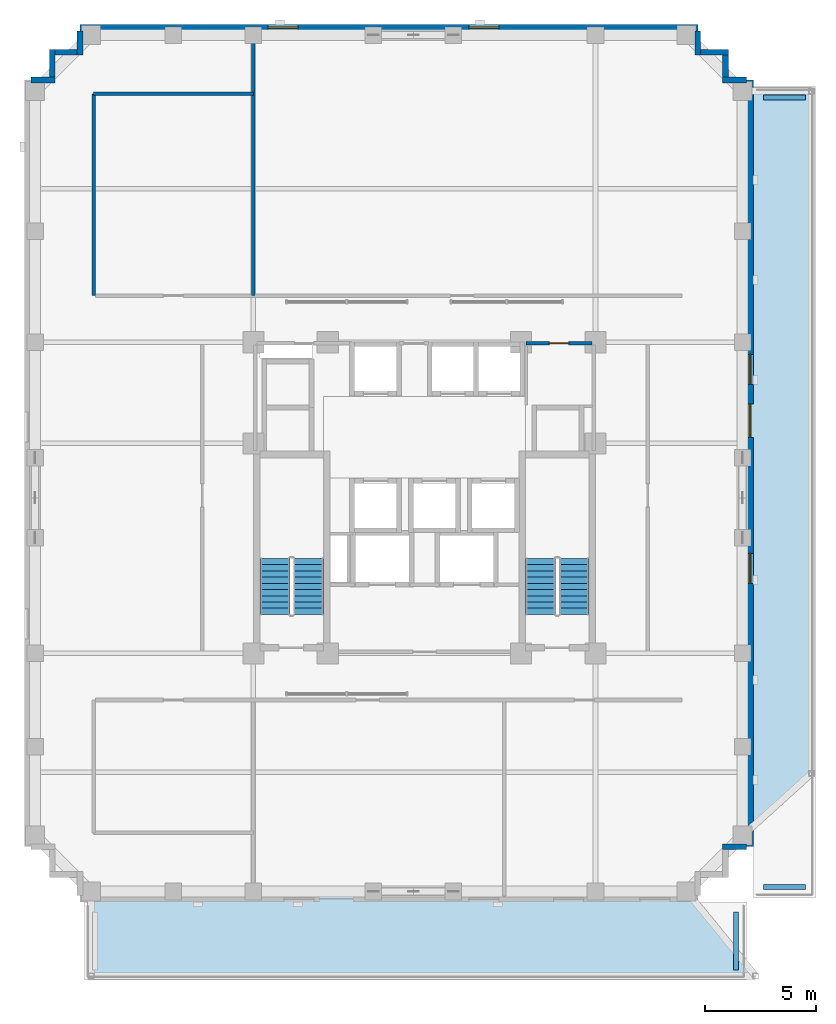
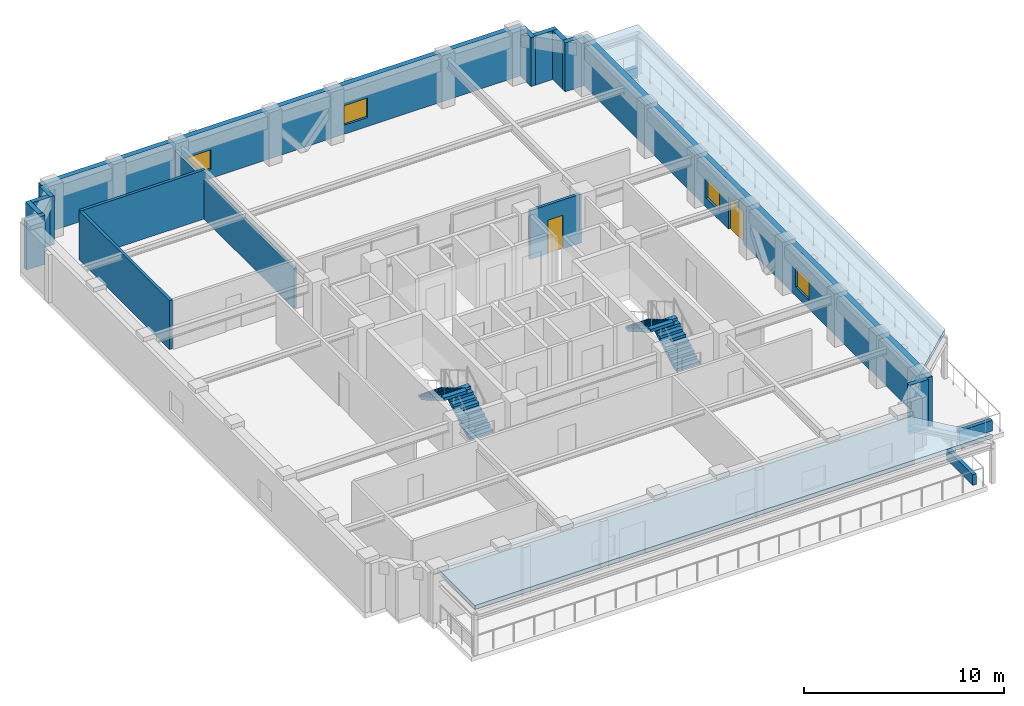
# One storey, part 10 of 15: 18 walls, 4 stair flights, 4 windows, 2 doors, 2 roofs, 6 openings, 2 elements without a shape of their own.
"""IFC4 building model written with IfcOpenShell, lengths in metres."""

from ifc_helpers import new_model, si_unit, derived_unit, direction, frame, frame_2d, origin, place, context, subcontext, project, spatial, polyline, rectangle, outline, extrude, material, layer, layer_set, type_object, element, fill, aggregate, save


model = new_model("IFC4")

# Units and contexts
model_context = context("Model", 3, precision=1e-05, world=origin(), true_north=direction((0.0, 1.0)))
body_context = subcontext(model_context, "Body", "Model", "MODEL_VIEW")
ifc_project = project(units=[si_unit("LENGTHUNIT", "METRE"), si_unit("AREAUNIT", "SQUARE_METRE"), si_unit("VOLUMEUNIT", "CUBIC_METRE"), si_unit("PLANEANGLEUNIT", "RADIAN"), si_unit("MASSUNIT", "GRAM", prefix="KILO"), derived_unit("THERMALTRANSMITTANCEUNIT", [(si_unit("MASSUNIT", "GRAM", prefix="KILO"), 1), (si_unit("TIMEUNIT", "SECOND"), -3), (si_unit("THERMODYNAMICTEMPERATUREUNIT", "KELVIN"), -1)])], contexts=[model_context])

# Site, building, storey
site_placement = place(None, origin())
site = spatial("IfcSite", under=ifc_project, at=site_placement, CompositionType="ELEMENT")
building_placement = place(site_placement, origin())
building = spatial("IfcBuilding", under=site, at=building_placement, Name="Korrvale Station Residences", CompositionType="ELEMENT")
storey_placement = place(building_placement, frame((0.0, 0.0, 124.39990234375)))
storey = spatial("IfcBuildingStorey", under=building, at=storey_placement, Name="L35", CompositionType="ELEMENT", Elevation=124.39990234375)

# Walls
ifc_material_1 = material(Name="Precast concrete C45/55", Category="concrete")
ifc_layer_1 = layer(ifc_material_1, 0.260009765625, Name="Precast concrete C45/55")
ifc_layer_set_1 = layer_set([ifc_layer_1], Name="Precast concrete C45/55")
wall_type_1 = type_object("IfcWallType", Name="WAL-EXT-LOG260", PredefinedType="SOLIDWALL", material=ifc_layer_set_1)
wall_1_placement = place(storey_placement, frame((7.802001953125, 40.800048828125, 0.0), z_axis=(0.0, 0.0, 1.0), x_axis=(1.0, 0.0, 0.0)))
element("IfcWall", 1, at=wall_1_placement, inside=storey, type_object=wall_type_1, Name="L35 Serrated Corner Precast Step NW-1", PredefinedType="SOLIDWALL", context=body_context, shape_type="SweptSolid", body=[
    extrude(rectangle(XDim=1.077880859375, YDim=0.260009765625, at=frame_2d((0.5390625, 0.0))), origin(), (0.0, 0.0, 1.0), 2.989990234375),
])
wall_2_placement = place(storey_placement, frame((8.75, 40.931884765625, 0.0), z_axis=(0.0, 0.0, 1.0), x_axis=(0.0, 1.0, 0.0)))
element("IfcWall", 2, at=wall_2_placement, inside=storey, type_object=wall_type_1, Name="L35 Serrated Corner Precast Step NW-2", PredefinedType="SOLIDWALL", context=body_context, shape_type="SweptSolid", body=[
    extrude(rectangle(XDim=1.248046875, YDim=0.260009765625, at=frame_2d((0.6240234375, 0.0))), origin(), (0.0, 0.0, 1.0), 2.989990234375),
])
wall_3_placement = place(storey_placement, frame((8.882080078125, 42.050048828125, 0.0), z_axis=(0.0, 0.0, 1.0), x_axis=(1.0, 0.0, 0.0)))
element("IfcWall", 3, at=wall_3_placement, inside=storey, type_object=wall_type_1, Name="L35 Serrated Corner Precast Step NW-3", PredefinedType="SOLIDWALL", context=body_context, shape_type="SweptSolid", body=[
    extrude(rectangle(XDim=0.98583984375, YDim=0.260009765625, at=frame_2d((0.492919921875, 0.0))), origin(), (0.0, 0.0, 1.0), 2.989990234375),
])
for number, where, z_axis, x_axis, name in (
    (4, (10.0, 41.919921875, 0.0), (0.0, 0.0, 1.0), (0.0, 1.0, 0.0), "L35 Serrated Corner Precast Step NW-4"),
    (5, (37.800048828125, 42.998046875, 0.0), (0.0, 0.0, 1.0), (0.0, -1.0, 0.0), "L35 Serrated Corner Precast Step NE-1"),
):
    element("IfcWall", number, at=place(storey_placement, frame(where, z_axis=z_axis, x_axis=x_axis)), inside=storey, type_object=wall_type_1, Name=name, PredefinedType="SOLIDWALL", context=body_context, shape_type="SweptSolid", body=[
        extrude(rectangle(XDim=1.078125, YDim=0.260009765625, at=frame_2d((0.5390625, 0.0))), origin(), (0.0, 0.0, 1.0), 2.989990234375),
    ])
wall_4_placement = place(storey_placement, frame((37.931884765625, 42.050048828125, 0.0), z_axis=(0.0, 0.0, 1.0), x_axis=(1.0, 0.0, 0.0)))
element("IfcWall", 6, at=wall_4_placement, inside=storey, type_object=wall_type_1, Name="L35 Serrated Corner Precast Step NE-2", PredefinedType="SOLIDWALL", context=body_context, shape_type="SweptSolid", body=[
    extrude(rectangle(XDim=1.248046875, YDim=0.260009765625, at=frame_2d((0.6240234375, 0.0))), origin(), (0.0, 0.0, 1.0), 2.989990234375),
])
wall_5_placement = place(storey_placement, frame((39.050048828125, 41.91796875, 0.0), z_axis=(0.0, 0.0, 1.0), x_axis=(0.0, -1.0, 0.0)))
element("IfcWall", 7, at=wall_5_placement, inside=storey, type_object=wall_type_1, Name="L35 Serrated Corner Precast Step NE-3", PredefinedType="SOLIDWALL", context=body_context, shape_type="SweptSolid", body=[
    extrude(rectangle(XDim=0.986083984375, YDim=0.260009765625, at=frame_2d((0.4931640625, 0.0))), origin(), (0.0, 0.0, 1.0), 2.989990234375),
])
for number, where, z_axis, x_axis, name in (
    (8, (38.919921875, 40.800048828125, 0.0), (0.0, 0.0, 1.0), (1.0, 0.0, 0.0), "L35 Serrated Corner Precast Step NE-4"),
    (9, (39.998046875, 6.300048828125, 0.0), (0.0, 0.0, 1.0), (-1.0, 0.0, 0.0), "L35 Serrated Corner Precast Step SE-1"),
):
    element("IfcWall", number, at=place(storey_placement, frame(where, z_axis=z_axis, x_axis=x_axis)), inside=storey, type_object=wall_type_1, Name=name, PredefinedType="SOLIDWALL", context=body_context, shape_type="SweptSolid", body=[
        extrude(rectangle(XDim=1.078125, YDim=0.260009765625, at=frame_2d((0.5390625, 0.0))), origin(), (0.0, 0.0, 1.0), 2.989990234375),
    ])

# Wall, openings, windows
ifc_layer_2 = layer(ifc_material_1, 0.300048828125, Name="Precast concrete C45/55")
ifc_layer_set_2 = layer_set([ifc_layer_2], Name="Precast concrete C45/55")
wall_type_2 = type_object("IfcWallType", Name="WAL-EXT-PC300", PredefinedType="SOLIDWALL", material=ifc_layer_set_2)
wall_6_placement = place(storey_placement, frame((10.0, 43.14990234375, 0.0), z_axis=(0.0, 0.0, 1.0), x_axis=(1.0, 0.0, 0.0)))
wall_6 = element("IfcWall", 10, at=wall_6_placement, inside=storey, type_object=wall_type_2, Name="L35 North Exterior Precast Wall 1", PredefinedType="SOLIDWALL", context=body_context, shape_type="SweptSolid", body=[
    extrude(rectangle(XDim=27.800048828125, YDim=0.300048828125, at=frame_2d((13.89990234375, 0.0))), origin(), (0.0, 0.0, 1.0), 2.989990234375),
])
opening_1_placement = place(wall_6_placement, frame((17.5, 0.0, 0.550048828125)))
opening_1 = element("IfcOpeningElement", 11, at=opening_1_placement, cuts=wall_6, Name="Opening W-10", PredefinedType="OPENING", context=body_context, shape_type="SweptSolid", body=[
    extrude(rectangle(XDim=1.35009765625, YDim=1.199951171875, at=frame_2d((0.675048828125, 0.60009765625))), frame((0.0, 0.16015625, 0.0), z_axis=(0.0, -1.0, 0.0), x_axis=(1.0, 0.0, 0.0)), (0.0, 0.0, 1.0), 0.320068359375),
])
opening_2_placement = place(wall_6_placement, frame((8.465087890625, 0.0, 0.550048828125)))
opening_2 = element("IfcOpeningElement", 12, at=opening_2_placement, cuts=wall_6, Name="Opening W-10", PredefinedType="OPENING", context=body_context, shape_type="SweptSolid", body=[
    extrude(rectangle(XDim=1.35009765625, YDim=1.199951171875, at=frame_2d((0.675048828125, 0.60009765625))), frame((0.0, 0.16015625, 0.0), z_axis=(0.0, -1.0, 0.0), x_axis=(1.0, 0.0, 0.0)), (0.0, 0.0, 1.0), 0.320068359375),
])
ifc_material_2 = material(Name="Thermally broken aluminium frame with triple low-e glazing", Category="aluminium")
window_type = type_object("IfcWindowType", Name="WIN-W10", PartitioningType="SINGLE_PANEL", PredefinedType="WINDOW", material=ifc_material_2)
window_1_placement = place(opening_1_placement, origin())
window_1 = element("IfcWindow", 13, at=window_1_placement, inside=storey, type_object=window_type, Name="L35 Punched Window 01", OverallHeight=1.199951171875, OverallWidth=1.35009765625, PartitioningType="SINGLE_PANEL", PredefinedType="WINDOW", context=body_context, shape_type="SweptSolid", body=[
    extrude(rectangle(XDim=1.35009765625, YDim=1.199951171875, at=frame_2d((0.675048828125, 0.60009765625))), frame((0.0, 0.030029296875, 0.0), z_axis=(0.0, -1.0, 0.0), x_axis=(1.0, 0.0, 0.0)), (0.0, 0.0, 1.0), 0.06005859375),
])
fill(opening_1, window_1)
window_2_placement = place(opening_2_placement, origin())
window_2 = element("IfcWindow", 14, at=window_2_placement, inside=storey, type_object=window_type, Name="L35 Punched Window 02", OverallHeight=1.199951171875, OverallWidth=1.35009765625, PartitioningType="SINGLE_PANEL", PredefinedType="WINDOW", context=body_context, shape_type="SweptSolid", body=[
    extrude(rectangle(XDim=1.35009765625, YDim=1.199951171875, at=frame_2d((0.675048828125, 0.60009765625))), frame((0.0, 0.030029296875, 0.0), z_axis=(0.0, -1.0, 0.0), x_axis=(1.0, 0.0, 0.0)), (0.0, 0.0, 1.0), 0.06005859375),
])
fill(opening_2, window_2)

# Wall, openings, door, windows
wall_7_placement = place(storey_placement, frame((40.14990234375, 40.800048828125, 0.0), z_axis=(0.0, 0.0, 1.0), x_axis=(0.0, -1.0, 0.0)))
wall_7 = element("IfcWall", 15, at=wall_7_placement, inside=storey, type_object=wall_type_2, Name="L35 East Exterior Precast Wall 1", PredefinedType="SOLIDWALL", context=body_context, shape_type="SweptSolid", body=[
    extrude(rectangle(XDim=34.5, YDim=0.300048828125, at=frame_2d((17.25, 0.0))), origin(), (0.0, 0.0, 1.0), 2.989990234375),
])
opening_3_placement = place(wall_7_placement, frame((14.580078125, 0.0, 0.0)))
opening_3 = element("IfcOpeningElement", 16, at=opening_3_placement, cuts=wall_7, Name="Opening TD-01", PredefinedType="OPENING", context=body_context, shape_type="SweptSolid", body=[
    extrude(rectangle(XDim=1.5, YDim=1.98193359375, at=frame_2d((0.75, 0.990966796875))), frame((0.0, 0.16015625, 0.0), z_axis=(0.0, -1.0, 0.0), x_axis=(1.0, 0.0, 0.0)), (0.0, 0.0, 1.0), 0.320068359375),
])
opening_4_placement = place(wall_7_placement, frame((21.300048828125, 0.0, 0.550048828125)))
opening_4 = element("IfcOpeningElement", 17, at=opening_4_placement, cuts=wall_7, Name="Opening W-10", PredefinedType="OPENING", context=body_context, shape_type="SweptSolid", body=[
    extrude(rectangle(XDim=1.35009765625, YDim=1.199951171875, at=frame_2d((0.675048828125, 0.60009765625))), frame((0.0, 0.16015625, 0.0), z_axis=(0.0, -1.0, 0.0), x_axis=(1.0, 0.0, 0.0)), (0.0, 0.0, 1.0), 0.320068359375),
])
opening_5_placement = place(wall_7_placement, frame((12.35009765625, 0.0, 0.550048828125)))
opening_5 = element("IfcOpeningElement", 18, at=opening_5_placement, cuts=wall_7, Name="Opening W-10", PredefinedType="OPENING", context=body_context, shape_type="SweptSolid", body=[
    extrude(rectangle(XDim=1.35009765625, YDim=1.199951171875, at=frame_2d((0.675048828125, 0.60009765625))), frame((0.0, 0.16015625, 0.0), z_axis=(0.0, -1.0, 0.0), x_axis=(1.0, 0.0, 0.0)), (0.0, 0.0, 1.0), 0.320068359375),
])
ifc_material_3 = material(Name="Exterior thermally broken aluminium glazed terrace double door", Category="aluminium")
door_type_1 = type_object("IfcDoorType", Name="DR-EXT-TER", OperationType="DOUBLE_SWING_LEFT", PredefinedType="DOOR", material=ifc_material_3)
door_1_placement = place(opening_3_placement, origin())
door_1 = element("IfcDoor", 19, at=door_1_placement, inside=storey, type_object=door_type_1, Name="L35 East Setback Terrace Door", OperationType="DOUBLE_SWING_LEFT", OverallHeight=1.98193359375, OverallWidth=1.5, PredefinedType="DOOR", context=body_context, shape_type="SweptSolid", body=[
    extrude(rectangle(XDim=1.5, YDim=1.98193359375, at=frame_2d((0.75, 0.990966796875))), frame((0.0, 0.02490234375, 0.0), z_axis=(0.0, -1.0, 0.0), x_axis=(1.0, 0.0, 0.0)), (0.0, 0.0, 1.0), 0.050048828125),
])
fill(opening_3, door_1)
window_3_placement = place(opening_4_placement, origin())
window_3 = element("IfcWindow", 20, at=window_3_placement, inside=storey, type_object=window_type, Name="L35 Punched Window 09", OverallHeight=1.199951171875, OverallWidth=1.35009765625, PartitioningType="SINGLE_PANEL", PredefinedType="WINDOW", context=body_context, shape_type="SweptSolid", body=[
    extrude(rectangle(XDim=1.35009765625, YDim=1.199951171875, at=frame_2d((0.675048828125, 0.60009765625))), frame((0.0, 0.030029296875, 0.0), z_axis=(0.0, -1.0, 0.0), x_axis=(1.0, 0.0, 0.0)), (0.0, 0.0, 1.0), 0.06005859375),
])
fill(opening_4, window_3)
window_4_placement = place(opening_5_placement, origin())
window_4 = element("IfcWindow", 21, at=window_4_placement, inside=storey, type_object=window_type, Name="L35 Punched Window 10", OverallHeight=1.199951171875, OverallWidth=1.35009765625, PartitioningType="SINGLE_PANEL", PredefinedType="WINDOW", context=body_context, shape_type="SweptSolid", body=[
    extrude(rectangle(XDim=1.35009765625, YDim=1.199951171875, at=frame_2d((0.675048828125, 0.60009765625))), frame((0.0, 0.030029296875, 0.0), z_axis=(0.0, -1.0, 0.0), x_axis=(1.0, 0.0, 0.0)), (0.0, 0.0, 1.0), 0.06005859375),
])
fill(opening_5, window_4)

# Walls
ifc_layer_3 = layer(ifc_material_1, 0.219970703125, Name="Precast concrete C45/55")
ifc_layer_set_3 = layer_set([ifc_layer_3], Name="Precast concrete C45/55")
wall_type_3 = type_object("IfcWallType", Name="WAL-PAR-220", PredefinedType="PARAPET", material=ifc_layer_set_3)
wall_8_placement = place(storey_placement, frame((39.52001953125, 0.75, 0.0), z_axis=(0.0, 0.0, 1.0), x_axis=(0.0, 1.0, 0.0)))
element("IfcWall", 22, at=wall_8_placement, inside=storey, type_object=wall_type_3, Name="L35 Terrace Planter Parapet TER-L35-S-E", PredefinedType="PARAPET", context=body_context, shape_type="SweptSolid", body=[
    extrude(rectangle(XDim=2.60009765625, YDim=0.219970703125, at=frame_2d((1.300048828125, 0.0))), origin(), (0.0, 0.0, 1.0), 0.650146484375),
])
for number, where, z_axis, x_axis, name in (
    (23, (40.75, 4.47998046875, 0.0), (0.0, 0.0, 1.0), (1.0, 0.0, 0.0), "L35 Terrace Planter Parapet TER-L35-E-S"),
    (24, (40.75, 40.02001953125, 0.0), (0.0, 0.0, 1.0), (1.0, 0.0, 0.0), "L35 Terrace Planter Parapet TER-L35-E-N"),
):
    element("IfcWall", number, at=place(storey_placement, frame(where, z_axis=z_axis, x_axis=x_axis)), inside=storey, type_object=wall_type_3, Name=name, PredefinedType="PARAPET", context=body_context, shape_type="SweptSolid", body=[
        extrude(rectangle(XDim=1.89990234375, YDim=0.219970703125, at=frame_2d((0.949951171875, 0.0))), origin(), (0.0, 0.0, 1.0), 0.650146484375),
    ])

# Wall, opening, door
ifc_material_4 = material(Name="Fire-rated twin-stud gypsum and mineral wool shaftwall assembly", Category="gypsum")
ifc_layer_4 = layer(ifc_material_4, 0.159912109375, Name="Fire-rated twin-stud gypsum and mineral wool shaftwall assembly")
ifc_layer_set_4 = layer_set([ifc_layer_4], Name="Fire-rated twin-stud gypsum and mineral wool shaftwall assembly")
wall_type_4 = type_object("IfcWallType", Name="WAL-PART-200", PredefinedType="PARTITIONING", material=ifc_layer_set_4)
wall_9_placement = place(storey_placement, frame((30.080078125, 28.949951171875, 0.0), z_axis=(0.0, 0.0, 1.0), x_axis=(1.0, 0.0, 0.0)))
wall_9 = element("IfcWall", 25, at=wall_9_placement, inside=storey, type_object=wall_type_4, Name="L35 Core Partition CW-CS-N", PredefinedType="PARTITIONING", context=body_context, shape_type="SweptSolid", body=[
    extrude(rectangle(XDim=2.9599609375, YDim=0.159912109375, at=frame_2d((1.47998046875, 0.0))), origin(), (0.0, 0.0, 1.0), 2.989990234375),
])
opening_6_placement = place(wall_9_placement, frame((1.044921875, 0.0, 0.0)))
opening_6 = element("IfcOpeningElement", 26, at=opening_6_placement, cuts=wall_9, Name="Opening DB-860", PredefinedType="OPENING", context=body_context, shape_type="SweptSolid", body=[
    extrude(rectangle(XDim=0.860107421875, YDim=2.050048828125, at=frame_2d((0.43017578125, 1.02490234375))), frame((0.0, 0.08984375, 0.0), z_axis=(0.0, -1.0, 0.0), x_axis=(1.0, 0.0, 0.0)), (0.0, 0.0, 1.0), 0.179931640625),
])
ifc_material_5 = material(Name="Moisture-resistant solid-core bathroom door", Category="timber")
door_type_2 = type_object("IfcDoorType", Name="DR-BATH-860", OperationType="NOTDEFINED", PredefinedType="DOOR", material=ifc_material_5)
door_2_placement = place(opening_6_placement, origin())
door_2 = element("IfcDoor", 27, at=door_2_placement, inside=storey, type_object=door_type_2, Name="L35 Parcel Room Door", OperationType="SINGLE_SWING_RIGHT", OverallHeight=2.050048828125, OverallWidth=0.860107421875, PredefinedType="DOOR", context=body_context, shape_type="SweptSolid", body=[
    extrude(rectangle(XDim=0.860107421875, YDim=2.050048828125, at=frame_2d((0.43017578125, 1.02490234375))), frame((0.0, 0.02490234375, 0.0), z_axis=(0.0, -1.0, 0.0), x_axis=(1.0, 0.0, 0.0)), (0.0, 0.0, 1.0), 0.050048828125),
])
fill(opening_6, door_2)

# Walls
wall_10_placement = place(storey_placement, frame((17.800048828125, 31.10009765625, 0.0), z_axis=(0.0, 0.0, 1.0), x_axis=(0.0, 1.0, 0.0)))
element("IfcWall", 28, at=wall_10_placement, inside=storey, type_object=wall_type_4, Name="L35 Interior Partition W-SM2", PredefinedType="PARTITIONING", context=body_context, shape_type="SweptSolid", body=[
    extrude(rectangle(XDim=11.89990234375, YDim=0.159912109375, at=frame_2d((5.949951171875, 0.0))), origin(), (0.0, 0.0, 1.0), 2.426025390625),
])
wall_11_placement = place(storey_placement, frame((10.60009765625, 40.179931640625, 0.0), z_axis=(0.0, 0.0, 1.0), x_axis=(1.0, 0.0, 0.0)))
element("IfcWall", 29, at=wall_11_placement, inside=storey, type_object=wall_type_4, Name="L35 Interior Partition W-SWC-N", PredefinedType="PARTITIONING", context=body_context, shape_type="SweptSolid", body=[
    extrude(rectangle(XDim=7.199951171875, YDim=0.159912109375, at=frame_2d((3.60009765625, 0.0))), origin(), (0.0, 0.0, 1.0), 2.989990234375),
])
wall_12_placement = place(storey_placement, frame((10.6201171875, 31.10009765625, 0.0), z_axis=(0.0, 0.0, 1.0), x_axis=(0.0, 1.0, 0.0)))
element("IfcWall", 30, at=wall_12_placement, inside=storey, type_object=wall_type_4, Name="L35 Interior Partition W-SWC-W", PredefinedType="PARTITIONING", context=body_context, shape_type="SweptSolid", body=[
    extrude(rectangle(XDim=9.079833984375, YDim=0.159912109375, at=frame_2d((4.5400390625, 0.0))), origin(), (0.0, 0.0, 1.0), 2.989990234375),
])

# Stair, stair flights
ifc_material_6 = material(Name="Concrete C50/60", Category="concrete")
stair_type = type_object("IfcStairType", Name="STR-DL-1350-20R-1625", PredefinedType="HALF_TURN_STAIR", material=ifc_material_6)
stair_1_placement = place(storey_placement, origin())
stair_1 = element("IfcStair", 31, at=stair_1_placement, inside=storey, type_object=stair_type, Name="L35 Exit Stair 1", PredefinedType="HALF_TURN_STAIR")
stair_flight_type = type_object("IfcStairFlightType", Name="FLT-DL-1350-20R-1625", PredefinedType="STRAIGHT", material=ifc_material_6)
stair_flight_1_placement = place(storey_placement, frame((20.27490234375, 16.75, 0.0), z_axis=(0.0, 0.0, 1.0), x_axis=(0.0, 1.0, 0.0)))
stair_flight_1 = element("IfcStairFlight", 32, at=stair_flight_1_placement, type_object=stair_flight_type, Name="ST-1 flight 1", NumberOfRisers=10, NumberOfTreads=9, PredefinedType="STRAIGHT", RiserHeight=0.1625, TreadLength=0.28, context=body_context, shape_type="SweptSolid", body=[
    extrude(outline(polyline([(0.0, 0.0), (0.0, 0.16259765625), (0.280029296875, 0.16259765625), (0.280029296875, 0.324951171875), (0.56005859375, 0.324951171875), (0.56005859375, 0.487548828125), (0.840087890625, 0.487548828125), (0.840087890625, 0.64990234375), (1.1201171875, 0.64990234375), (1.1201171875, 0.8125), (1.39990234375, 0.8125), (1.39990234375, 0.97509765625), (1.679931640625, 0.97509765625), (1.679931640625, 1.137451171875), (1.9599609375, 1.137451171875), (1.9599609375, 1.300048828125), (2.239990234375, 1.300048828125), (2.239990234375, 1.46240234375), (2.52001953125, 1.46240234375), (2.52001953125, 1.625), (2.52001953125, 1.2890625), (0.298583984375, 0.0), (0.0, 0.0)])), frame((0.0, 0.675048828125, 0.0), z_axis=(0.0, -1.0, 0.0), x_axis=(1.0, 0.0, 0.0)), (0.0, 0.0, 1.0), 1.35009765625),
])
stair_flight_2_placement = place(storey_placement, frame((18.77490234375, 19.27001953125, 1.625), z_axis=(0.0, 0.0, 1.0), x_axis=(0.0, -1.0, 0.0)))
stair_flight_2 = element("IfcStairFlight", 33, at=stair_flight_2_placement, type_object=stair_flight_type, Name="ST-1 flight 2", NumberOfRisers=10, NumberOfTreads=9, PredefinedType="STRAIGHT", RiserHeight=0.1625, TreadLength=0.28, context=body_context, shape_type="SweptSolid", body=[
    extrude(outline(polyline([(0.0, 0.0), (0.0, 0.16259765625), (0.280029296875, 0.16259765625), (0.280029296875, 0.324951171875), (0.56005859375, 0.324951171875), (0.56005859375, 0.487548828125), (0.840087890625, 0.487548828125), (0.840087890625, 0.64990234375), (1.1201171875, 0.64990234375), (1.1201171875, 0.8125), (1.39990234375, 0.8125), (1.39990234375, 0.97509765625), (1.679931640625, 0.97509765625), (1.679931640625, 1.137451171875), (1.9599609375, 1.137451171875), (1.9599609375, 1.300048828125), (2.239990234375, 1.300048828125), (2.239990234375, 1.46240234375), (2.52001953125, 1.46240234375), (2.52001953125, 1.625), (2.52001953125, 1.2890625), (0.298583984375, 0.0), (0.0, 0.0)])), frame((0.0, 0.675048828125, 0.0), z_axis=(0.0, -1.0, 0.0), x_axis=(1.0, 0.0, 0.0)), (0.0, 0.0, 1.0), 1.35009765625),
])
aggregate(stair_1, [stair_flight_1, stair_flight_2])

stair_2_placement = place(storey_placement, origin())
stair_2 = element("IfcStair", 34, at=stair_2_placement, inside=storey, type_object=stair_type, Name="L35 Exit Stair 2", PredefinedType="HALF_TURN_STAIR")
stair_flight_3_placement = place(storey_placement, frame((32.22509765625, 16.75, 0.0), z_axis=(0.0, 0.0, 1.0), x_axis=(0.0, 1.0, 0.0)))
stair_flight_3 = element("IfcStairFlight", 35, at=stair_flight_3_placement, type_object=stair_flight_type, Name="ST-2 flight 1", NumberOfRisers=10, NumberOfTreads=9, PredefinedType="STRAIGHT", RiserHeight=0.1625, TreadLength=0.28, context=body_context, shape_type="SweptSolid", body=[
    extrude(outline(polyline([(0.0, 0.0), (0.0, 0.16259765625), (0.280029296875, 0.16259765625), (0.280029296875, 0.324951171875), (0.56005859375, 0.324951171875), (0.56005859375, 0.487548828125), (0.840087890625, 0.487548828125), (0.840087890625, 0.64990234375), (1.1201171875, 0.64990234375), (1.1201171875, 0.8125), (1.39990234375, 0.8125), (1.39990234375, 0.97509765625), (1.679931640625, 0.97509765625), (1.679931640625, 1.137451171875), (1.9599609375, 1.137451171875), (1.9599609375, 1.300048828125), (2.239990234375, 1.300048828125), (2.239990234375, 1.46240234375), (2.52001953125, 1.46240234375), (2.52001953125, 1.625), (2.52001953125, 1.2890625), (0.298583984375, 0.0), (0.0, 0.0)])), frame((0.0, 0.675048828125, 0.0), z_axis=(0.0, -1.0, 0.0), x_axis=(1.0, 0.0, 0.0)), (0.0, 0.0, 1.0), 1.35009765625),
])
stair_flight_4_placement = place(storey_placement, frame((30.72509765625, 19.27001953125, 1.625), z_axis=(0.0, 0.0, 1.0), x_axis=(0.0, -1.0, 0.0)))
stair_flight_4 = element("IfcStairFlight", 36, at=stair_flight_4_placement, type_object=stair_flight_type, Name="ST-2 flight 2", NumberOfRisers=10, NumberOfTreads=9, PredefinedType="STRAIGHT", RiserHeight=0.1625, TreadLength=0.28, context=body_context, shape_type="SweptSolid", body=[
    extrude(outline(polyline([(0.0, 0.0), (0.0, 0.16259765625), (0.280029296875, 0.16259765625), (0.280029296875, 0.324951171875), (0.56005859375, 0.324951171875), (0.56005859375, 0.487548828125), (0.840087890625, 0.487548828125), (0.840087890625, 0.64990234375), (1.1201171875, 0.64990234375), (1.1201171875, 0.8125), (1.39990234375, 0.8125), (1.39990234375, 0.97509765625), (1.679931640625, 0.97509765625), (1.679931640625, 1.137451171875), (1.9599609375, 1.137451171875), (1.9599609375, 1.300048828125), (2.239990234375, 1.300048828125), (2.239990234375, 1.46240234375), (2.52001953125, 1.46240234375), (2.52001953125, 1.625), (2.52001953125, 1.2890625), (0.298583984375, 0.0), (0.0, 0.0)])), frame((0.0, 0.675048828125, 0.0), z_axis=(0.0, -1.0, 0.0), x_axis=(1.0, 0.0, 0.0)), (0.0, 0.0, 1.0), 1.35009765625),
])
aggregate(stair_2, [stair_flight_3, stair_flight_4])

# Roofs
ifc_layer_5 = layer(ifc_material_6, 0.25, Name="Concrete C50/60")
ifc_layer_set_5 = layer_set([ifc_layer_5], Name="Concrete C50/60")
roof_type = type_object("IfcRoofType", Name="ROOF-FLAT-250", PredefinedType="FLAT_ROOF", material=ifc_layer_set_5)
roof_1_placement = place(storey_placement, frame((0.0, 0.0, 2.7001953125)))
element("IfcRoof", 37, at=roof_1_placement, inside=storey, type_object=roof_type, Name="L35 Frame-Carried Setback Terrace Flat Roof TER-L35-S", PredefinedType="FLAT_ROOF", context=body_context, shape_type="SweptSolid", body=[
    extrude(outline(polyline([(10.5, 0.47998046875), (40.39990234375, 0.47998046875), (37.300048828125, 4.280029296875), (10.5, 4.280029296875), (10.5, 0.47998046875)])), origin(), (0.0, 0.0, 1.0), 0.25),
])
roof_2_placement = place(storey_placement, frame((0.0, 0.0, 2.7001953125)))
element("IfcRoof", 38, at=roof_2_placement, inside=storey, type_object=roof_type, Name="L35 Frame-Carried Setback Terrace Flat Roof TER-L35-E", PredefinedType="FLAT_ROOF", context=body_context, shape_type="SweptSolid", body=[
    extrude(outline(polyline([(42.919921875, 9.60009765625), (42.919921875, 40.300048828125), (39.820068359375, 40.300048828125), (39.820068359375, 6.800048828125), (42.919921875, 9.60009765625)])), origin(), (0.0, 0.0, 1.0), 0.25),
])

save(model, "model.ifc")
